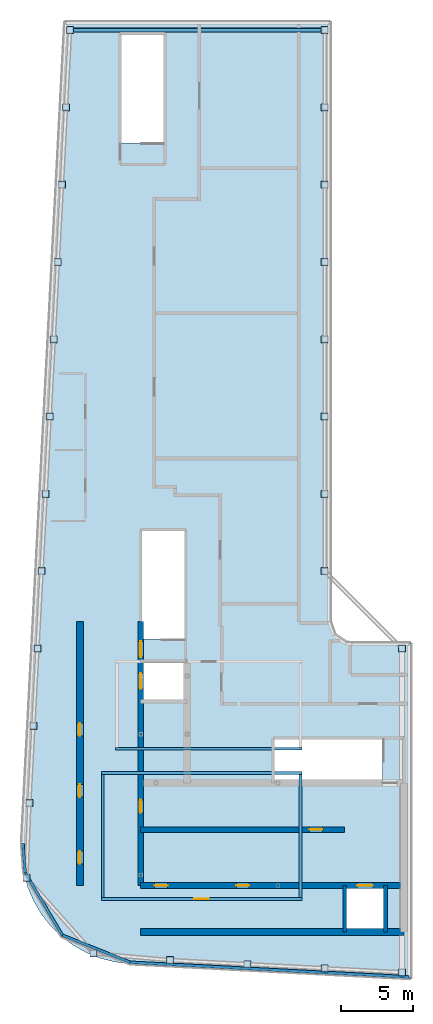
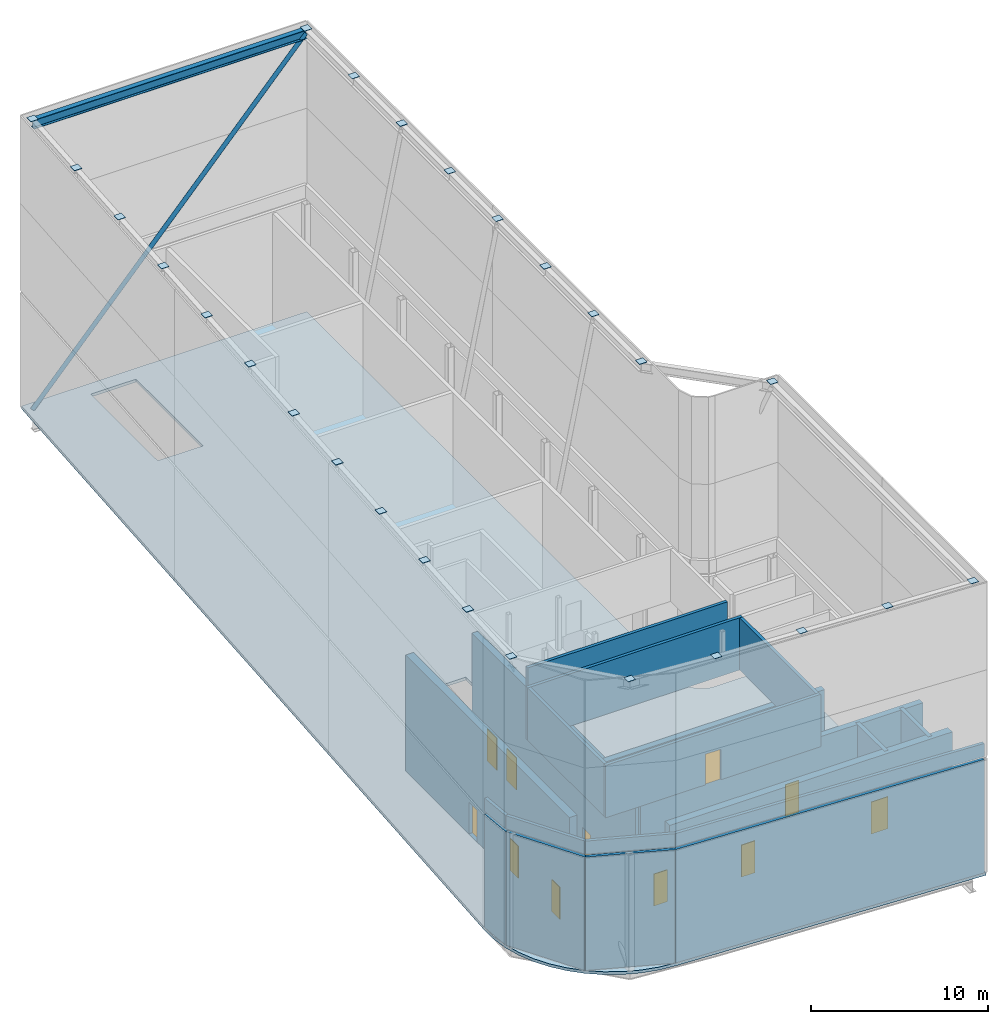
# One storey, part 4 of 7: 26 plates, 20 walls, 11 doors, 1 beam, 1 member, 1 slab, 11 openings.
"""IFC4 building model written with IfcOpenShell, lengths in metres."""

from ifc_helpers import new_model, si_unit, direction, frame, frame_2d, origin, origin_2d, place, context, subcontext, project, spatial, polyline, rectangle, hollow_circle, i_section, outline, extrude, source, transform, mapped, material, layer, layer_set, material_profile, profile_set, type_object, element, fill, save


model = new_model("IFC4")

# Units and contexts
model_context = context("Model", 3, precision=1e-05, world=origin(), true_north=direction((0.0, 1.0)))
body_context = subcontext(model_context, "Body", "Model", "MODEL_VIEW")
ifc_project = project(units=[si_unit("LENGTHUNIT", "METRE"), si_unit("AREAUNIT", "SQUARE_METRE"), si_unit("VOLUMEUNIT", "CUBIC_METRE"), si_unit("PLANEANGLEUNIT", "RADIAN"), si_unit("MASSUNIT", "GRAM", prefix="KILO")], contexts=[model_context])

# Site, building, storey
site_placement = place(None, origin())
site = spatial("IfcSite", under=ifc_project, at=site_placement, CompositionType="ELEMENT")
building_placement = place(site_placement, origin())
building = spatial("IfcBuilding", under=site, at=building_placement, Name="Kheshtan School and Residences Tower", CompositionType="ELEMENT")
storey_placement = place(building_placement, frame((0.0, 0.0, 404.800048828125)))
storey = spatial("IfcBuildingStorey", under=building, at=storey_placement, Name="L94", CompositionType="ELEMENT", Elevation=404.800048828125)

# Beam
ifc_material_1 = material(Name="Steel ASTM A992 Grade 50", Category="steel")
ifc_material_profile_1 = material_profile(ifc_material_1, i_section(OverallWidth=0.3291015625, OverallDepth=0.635009765625, WebThickness=0.017822265625, FlangeThickness=0.031005859375, FilletRadius=0.01904296875, at=origin_2d()), Name="W610x241")
ifc_profile_set_1 = profile_set([ifc_material_profile_1], Name="Steel ASTM A992 Grade 50")
beam_type = type_object("IfcBeamType", Name="Beam CF3 W610x241 ASTM A992 Grade 50", PredefinedType="BEAM", material=ifc_profile_set_1)
beam_placement = place(storey_placement, frame((29.81103515625, 88.800048828125, 19.682373046875), z_axis=(1.0, 0.0, 0.0), x_axis=(0.0, 1.0, 0.0)))
element("IfcBeam", 1, at=beam_placement, inside=storey, type_object=beam_type, Name="Crown frame ring beam 18", PredefinedType="BEAM", context=body_context, shape_type="SweptSolid", body=[
    extrude(i_section(OverallWidth=0.3291015625, OverallDepth=0.635009765625, WebThickness=0.017822265625, FlangeThickness=0.031005859375, FilletRadius=0.01904296875, at=origin_2d()), origin(), (0.0, 0.0, 1.0), 17.7890625),
])

# Member
ifc_material_2 = material(Name="Steel ASTM A500 Grade C", Category="steel")
ifc_material_profile_2 = material_profile(ifc_material_2, hollow_circle(Radius=0.136474609375, WallThickness=0.0126953125, at=origin_2d()), Name="HSS 273x12.7")
ifc_profile_set_2 = profile_set([ifc_material_profile_2], Name="Steel ASTM A500 Grade C")
member_type = type_object("IfcMemberType", Name="Member CF2 HSS 273x12.7 ASTM A500 Grade C", PredefinedType="BRACE", material=ifc_profile_set_2)
member_placement = place(storey_placement, frame((29.81103515625, 88.800048828125, 0.0), z_axis=(0.67052359811, 0.0, 0.741888202075), x_axis=(0.0, 1.0, 0.0)))
element("IfcMember", 2, at=member_placement, inside=storey, type_object=member_type, Name="Crown frame brace 18", PredefinedType="BRACE", context=body_context, shape_type="SweptSolid", body=[
    extrude(hollow_circle(Radius=0.136474609375, WallThickness=0.0126953125, at=origin_2d()), origin(), (0.0, 0.0, 1.0), 26.530029296875),
])

# Plates
ifc_layer_1 = layer(ifc_material_1, 0.02490234375)
ifc_layer_set_1 = layer_set([ifc_layer_1], Name="End plate 25 HSS 406x406x19 ASTM A992 Grade 50")
plate_type = type_object("IfcPlateType", Name="End plate 25 HSS 406x406x19 ASTM A992 Grade 50", PredefinedType="SHEET", material=ifc_layer_set_1)
for number, where, z_axis, x_axis, name in (
    (3, (53.0, 22.97998046875, 20.0), (0.0, 0.0, 1.0), (1.0, 0.0, 0.0), "End plate"),
    (4, (47.60009765625, 23.263916015625, 20.0), (0.0, 0.0, 1.0), (1.0, 0.0, 0.0), "End plate"),
    (5, (42.199951171875, 23.548095703125, 20.0), (0.0, 0.0, 1.0), (1.0, 0.0, 0.0), "End plate"),
    (6, (36.800048828125, 23.83203125, 20.0), (0.0, 0.0, 1.0), (1.0, 0.0, 0.0), "End plate"),
    (7, (31.447021484375, 24.31005859375, 20.0), (0.0, 0.0, 1.0), (1.0, 0.0, 0.0), "End plate"),
    (8, (26.76708984375, 29.58203125, 20.0), (0.0, 0.0, 1.0), (1.0, 0.0, 0.0), "End plate"),
    (9, (26.968994140625, 34.800048828125, 20.0), (0.0, 0.0, 1.0), (1.0, 0.0, 0.0), "End plate"),
    (10, (27.2529296875, 40.199951171875, 20.0), (0.0, 0.0, 1.0), (1.0, 0.0, 0.0), "End plate"),
    (11, (27.537109375, 45.60009765625, 20.0), (0.0, 0.0, 1.0), (1.0, 0.0, 0.0), "End plate"),
    (12, (53.0, 45.60009765625, 20.0), (0.0, 0.0, 1.0), (1.0, 0.0, 0.0), "End plate"),
    (13, (27.822021484375, 51.0, 20.0), (0.0, 0.0, 1.0), (1.0, 0.0, 0.0), "End plate"),
    (14, (47.60009765625, 51.0, 20.0), (0.0, 0.0, 1.0), (1.0, 0.0, 0.0), "End plate"),
    (15, (28.10595703125, 56.39990234375, 20.0), (0.0, 0.0, 1.0), (1.0, 0.0, 0.0), "End plate"),
    (16, (47.60009765625, 56.39990234375, 20.0), (0.0, 0.0, 1.0), (1.0, 0.0, 0.0), "End plate"),
    (17, (28.389892578125, 61.800048828125, 20.0), (0.0, 0.0, 1.0), (1.0, 0.0, 0.0), "End plate"),
    (18, (47.60009765625, 61.800048828125, 20.0), (0.0, 0.0, 1.0), (1.0, 0.0, 0.0), "End plate"),
    (19, (28.674072265625, 67.199951171875, 20.0), (0.0, 0.0, 1.0), (1.0, 0.0, 0.0), "End plate"),
    (20, (47.60009765625, 67.199951171875, 20.0), (0.0, 0.0, 1.0), (1.0, 0.0, 0.0), "End plate"),
    (21, (28.9580078125, 72.60009765625, 20.0), (0.0, 0.0, 1.0), (1.0, 0.0, 0.0), "End plate"),
    (22, (47.60009765625, 72.60009765625, 20.0), (0.0, 0.0, 1.0), (1.0, 0.0, 0.0), "End plate"),
    (23, (29.242919921875, 78.0, 20.0), (0.0, 0.0, 1.0), (1.0, 0.0, 0.0), "End plate"),
    (24, (47.60009765625, 78.0, 20.0), (0.0, 0.0, 1.0), (1.0, 0.0, 0.0), "End plate"),
    (25, (29.527099609375, 83.39990234375, 20.0), (0.0, 0.0, 1.0), (1.0, 0.0, 0.0), "End plate"),
    (26, (47.60009765625, 83.39990234375, 20.0), (0.0, 0.0, 1.0), (1.0, 0.0, 0.0), "End plate"),
    (27, (29.81103515625, 88.800048828125, 20.0), (0.0, 0.0, 1.0), (1.0, 0.0, 0.0), "End plate"),
    (28, (47.60009765625, 88.800048828125, 20.0), (0.0, 0.0, 1.0), (1.0, 0.0, 0.0), "End plate"),
):
    element("IfcPlate", number, at=place(storey_placement, frame(where, z_axis=z_axis, x_axis=x_axis)), inside=storey, type_object=plate_type, Name=name, PredefinedType="SHEET", context=body_context, shape_type="SweptSolid", body=[
        extrude(rectangle(XDim=0.486083984375, YDim=0.486083984375, at=origin_2d()), origin(), (0.0, 0.0, 1.0), 0.02490234375),
    ])

# Slab
ifc_material_3 = material(Name="Concrete C40/50", Category="concrete")
ifc_layer_2 = layer(ifc_material_3, 0.199951171875)
ifc_layer_set_2 = layer_set([ifc_layer_2], Name="Floor slab 200 Concrete C40/50")
slab_type = type_object("IfcSlabType", Name="Floor slab 200 Concrete C40/50", PredefinedType="FLOOR", material=ifc_layer_set_2)
slab_placement = place(storey_placement, frame((0.0, 0.0, -0.199951171875)))
element("IfcSlab", 29, at=slab_placement, inside=storey, type_object=slab_type, Name="Floor slab L94", PredefinedType="FLOOR", context=body_context, shape_type="SweptSolid", body=[
    extrude(outline(polyline([(48.200927734375, 46.75), (48.31005859375, 46.5869140625), (48.43896484375, 46.43896484375), (48.5869140625, 46.31005859375), (48.75, 46.200927734375), (48.926025390625, 46.114013671875), (49.112060546875, 46.051025390625), (49.303955078125, 46.012939453125), (49.5, 46.0), (53.60009765625, 46.0), (53.60009765625, 22.547119140625), (33.989013671875, 23.580078125), (32.949951171875, 23.702880859375), (31.93603515625, 23.9609375), (30.964111328125, 24.34912109375), (30.051025390625, 24.860107421875), (29.2119140625, 25.486083984375), (28.462890625, 26.217041015625), (27.81494140625, 27.0390625), (27.281005859375, 27.93798828125), (26.867919921875, 28.89990234375), (26.583984375, 29.906982421875), (26.43408203125, 30.943115234375), (26.419921875, 31.989013671875), (29.44189453125, 89.39990234375), (48.0, 89.39990234375), (48.0, 47.5), (48.012939453125, 47.303955078125), (48.051025390625, 47.112060546875), (48.114013671875, 46.926025390625), (48.200927734375, 46.75)]), holes=[polyline([(49.125, 28.925048828125), (49.125, 25.925048828125), (51.72509765625, 25.925048828125), (51.72509765625, 28.925048828125), (49.125, 28.925048828125)]), polyline([(44.090087890625, 36.300048828125), (51.639892578125, 36.300048828125), (51.639892578125, 37.699951171875), (51.64990234375, 37.699951171875), (51.64990234375, 39.25), (44.090087890625, 39.25), (44.090087890625, 36.300048828125)]), polyline([(34.875, 44.625), (34.875, 42.02490234375), (37.875, 42.02490234375), (37.875, 44.625), (34.875, 44.625)]), polyline([(37.800048828125, 53.81005859375), (34.85009765625, 53.81005859375), (34.85009765625, 46.260009765625), (36.25, 46.260009765625), (36.25, 46.25), (37.800048828125, 46.25), (37.800048828125, 53.81005859375)]), polyline([(36.35009765625, 88.4599609375), (33.39990234375, 88.4599609375), (33.39990234375, 80.909912109375), (34.800048828125, 80.909912109375), (34.800048828125, 80.89990234375), (36.35009765625, 80.89990234375), (36.35009765625, 88.4599609375)])]), origin(), (0.0, 0.0, 1.0), 0.199951171875),
])

# Wall, openings, doors
ifc_material_4 = material(Name="Concrete C50/60", Category="concrete")
ifc_layer_3 = layer(ifc_material_4, 0.39990234375)
ifc_layer_set_3 = layer_set([ifc_layer_3], Name="Core wall 400 Concrete C50/60")
wall_type_1 = type_object("IfcWallType", Name="Core wall 400 Concrete C50/60", PredefinedType="SHEAR", material=ifc_layer_set_3)
wall_1_placement = place(storey_placement, frame((34.75, 29.050048828125, 0.0), z_axis=(0.0, 0.0, 1.0), x_axis=(1.0, 0.0, 0.0)))
wall_1 = element("IfcWall", 30, at=wall_1_placement, inside=storey, type_object=wall_type_1, Name="Core wall CW-HALL-S1", PredefinedType="SHEAR", context=body_context, shape_type="SweptSolid", body=[
    extrude(rectangle(XDim=18.39990234375, YDim=0.39990234375, at=frame_2d((9.199951171875, 0.0))), origin(), (0.0, 0.0, 1.0), 8.0),
])
opening_1_placement = place(wall_1_placement, frame((15.125, 0.0, 0.0)))
opening_1 = element("IfcOpeningElement", 31, at=opening_1_placement, cuts=wall_1, Name="Opening LD", PredefinedType="OPENING", context=body_context, shape_type="SweptSolid", body=[
    extrude(rectangle(XDim=1.10009765625, YDim=2.199951171875, at=frame_2d((0.550048828125, 1.10009765625))), frame((0.0, 0.2099609375, 0.0), z_axis=(0.0, -1.0, 0.0), x_axis=(1.0, 0.0, 0.0)), (0.0, 0.0, 1.0), 0.419921875),
])
opening_2_placement = place(wall_1_placement, frame((0.97509765625, 0.0, 0.0)))
opening_2 = element("IfcOpeningElement", 32, at=opening_2_placement, cuts=wall_1, Name="Opening SR90", PredefinedType="OPENING", context=body_context, shape_type="SweptSolid", body=[
    extrude(rectangle(XDim=0.89990234375, YDim=2.199951171875, at=frame_2d((0.449951171875, 1.10009765625))), frame((0.0, 0.2099609375, 0.0), z_axis=(0.0, -1.0, 0.0), x_axis=(1.0, 0.0, 0.0)), (0.0, 0.0, 1.0), 0.419921875),
])
opening_3_placement = place(wall_1_placement, frame((6.675048828125, 0.0, 0.0)))
opening_3 = element("IfcOpeningElement", 33, at=opening_3_placement, cuts=wall_1, Name="Opening SR90", PredefinedType="OPENING", context=body_context, shape_type="SweptSolid", body=[
    extrude(rectangle(XDim=0.89990234375, YDim=2.199951171875, at=frame_2d((0.449951171875, 1.10009765625))), frame((0.0, 0.2099609375, 0.0), z_axis=(0.0, -1.0, 0.0), x_axis=(1.0, 0.0, 0.0)), (0.0, 0.0, 1.0), 0.419921875),
])
ifc_material_5 = material(Name="Stainless steel door leaves", Category="steel")
door_type_1 = type_object("IfcDoorType", Name="Lift landing door 1100", OperationType="SLIDING_TO_LEFT", PredefinedType="DOOR", material=ifc_material_5)
shared_shape_1 = source(origin(), body_context, "Body", "SweptSolid", [
    extrude(rectangle(XDim=1.10009765625, YDim=2.199951171875, at=frame_2d((0.550048828125, 1.10009765625))), frame((0.0, 0.02490234375, 0.0), z_axis=(0.0, -1.0, 0.0), x_axis=(1.0, 0.0, 0.0)), (0.0, 0.0, 1.0), 0.050048828125),
])
door_1_placement = place(opening_1_placement, origin())
door_1 = element("IfcDoor", 34, at=door_1_placement, inside=storey, type_object=door_type_1, Name="Lift FFL2 landing door", OperationType="SLIDING_TO_LEFT", OverallHeight=2.199951171875, OverallWidth=1.10009765625, PredefinedType="DOOR", context=body_context, shape_type="MappedRepresentation", body=[
    mapped(shared_shape_1, transform((0.0, 0.0, 0.0), x_axis=(1.0, 0.0, 0.0), y_axis=(0.0, 1.0, 0.0), z_axis=(0.0, 0.0, 1.0), scale=1.0)),
])
fill(opening_1, door_1)
ifc_material_6 = material(Name="Steel door leaf, galvanised", Category="steel")
door_type_2 = type_object("IfcDoorType", Name="Service room door 900 steel 90 min", OperationType="SINGLE_SWING_LEFT", PredefinedType="DOOR", material=ifc_material_6)
shared_shape_2 = source(origin(), body_context, "Body", "SweptSolid", [
    extrude(rectangle(XDim=0.89990234375, YDim=2.199951171875, at=frame_2d((0.449951171875, 1.10009765625))), frame((0.0, 0.02490234375, 0.0), z_axis=(0.0, -1.0, 0.0), x_axis=(1.0, 0.0, 0.0)), (0.0, 0.0, 1.0), 0.050048828125),
])
door_2_placement = place(opening_2_placement, origin())
door_2 = element("IfcDoor", 35, at=door_2_placement, inside=storey, type_object=door_type_2, Name="Service room door", OperationType="SINGLE_SWING_LEFT", OverallHeight=2.199951171875, OverallWidth=0.89990234375, PredefinedType="DOOR", context=body_context, shape_type="MappedRepresentation", body=[
    mapped(shared_shape_2, transform((0.0, 0.0, 0.0), x_axis=(1.0, 0.0, 0.0), y_axis=(0.0, 1.0, 0.0), z_axis=(0.0, 0.0, 1.0), scale=1.0)),
])
fill(opening_2, door_2)
door_3_placement = place(opening_3_placement, origin())
door_3 = element("IfcDoor", 36, at=door_3_placement, inside=storey, type_object=door_type_2, Name="Service room door", OperationType="SINGLE_SWING_RIGHT", OverallHeight=2.199951171875, OverallWidth=0.89990234375, PredefinedType="DOOR", context=body_context, shape_type="MappedRepresentation", body=[
    mapped(shared_shape_2, transform((0.0, 0.0, 0.0), x_axis=(1.0, 0.0, 0.0), y_axis=(0.0, 1.0, 0.0), z_axis=(0.0, 0.0, 1.0), scale=1.0)),
])
fill(opening_3, door_3)

# Wall, opening, door
wall_2_placement = place(storey_placement, frame((34.75, 32.949951171875, 0.0), z_axis=(0.0, 0.0, 1.0), x_axis=(1.0, 0.0, 0.0)))
wall_2 = element("IfcWall", 37, at=wall_2_placement, inside=storey, type_object=wall_type_1, Name="Core wall CW-HALL-S2", PredefinedType="SHEAR", context=body_context, shape_type="SweptSolid", body=[
    extrude(rectangle(XDim=14.25, YDim=0.39990234375, at=frame_2d((7.125, 0.0))), origin(), (0.0, 0.0, 1.0), 8.0),
])
opening_4_placement = place(wall_2_placement, frame((11.7919921875, 0.0, 0.0)))
opening_4 = element("IfcOpeningElement", 38, at=opening_4_placement, cuts=wall_2, Name="Opening SR90", PredefinedType="OPENING", context=body_context, shape_type="SweptSolid", body=[
    extrude(rectangle(XDim=0.89990234375, YDim=2.199951171875, at=frame_2d((0.449951171875, 1.10009765625))), frame((0.0, 0.2099609375, 0.0), z_axis=(0.0, -1.0, 0.0), x_axis=(1.0, 0.0, 0.0)), (0.0, 0.0, 1.0), 0.419921875),
])
door_4_placement = place(opening_4_placement, origin())
door_4 = element("IfcDoor", 39, at=door_4_placement, inside=storey, type_object=door_type_2, Name="Service room door", OperationType="SINGLE_SWING_RIGHT", OverallHeight=2.199951171875, OverallWidth=0.89990234375, PredefinedType="DOOR", context=body_context, shape_type="MappedRepresentation", body=[
    mapped(shared_shape_2, transform((0.0, 0.0, 0.0), x_axis=(1.0, 0.0, 0.0), y_axis=(0.0, 1.0, 0.0), z_axis=(0.0, 0.0, 1.0), scale=1.0)),
])
fill(opening_4, door_4)

# Wall, openings, doors
wall_3_placement = place(storey_placement, frame((34.75, 29.050048828125, 0.0), z_axis=(0.0, 0.0, 1.0), x_axis=(0.0, 1.0, 0.0)))
wall_3 = element("IfcWall", 40, at=wall_3_placement, inside=storey, type_object=wall_type_1, Name="Core wall CW-HALL-W1", PredefinedType="SHEAR", context=body_context, shape_type="SweptSolid", body=[
    extrude(rectangle(XDim=18.449951171875, YDim=0.39990234375, at=frame_2d((9.22509765625, 0.0))), origin(), (0.0, 0.0, 1.0), 8.0),
])
opening_5_placement = place(wall_3_placement, frame((13.72509765625, 0.0, 0.0)))
opening_5 = element("IfcOpeningElement", 41, at=opening_5_placement, cuts=wall_3, Name="Opening LD", PredefinedType="OPENING", context=body_context, shape_type="SweptSolid", body=[
    extrude(rectangle(XDim=1.10009765625, YDim=2.199951171875, at=frame_2d((0.550048828125, 1.10009765625))), frame((0.0, 0.2099609375, 0.0), z_axis=(0.0, -1.0, 0.0), x_axis=(1.0, 0.0, 0.0)), (0.0, 0.0, 1.0), 0.419921875),
])
opening_6_placement = place(wall_3_placement, frame((5.074951171875, 0.0, 0.0)))
opening_6 = element("IfcOpeningElement", 42, at=opening_6_placement, cuts=wall_3, Name="Opening SR90", PredefinedType="OPENING", context=body_context, shape_type="SweptSolid", body=[
    extrude(rectangle(XDim=0.89990234375, YDim=2.199951171875, at=frame_2d((0.449951171875, 1.10009765625))), frame((0.0, 0.2099609375, 0.0), z_axis=(0.0, -1.0, 0.0), x_axis=(1.0, 0.0, 0.0)), (0.0, 0.0, 1.0), 0.419921875),
])
opening_7_placement = place(wall_3_placement, frame((15.949951171875, 0.0, 0.0)))
opening_7 = element("IfcOpeningElement", 43, at=opening_7_placement, cuts=wall_3, Name="Opening ST2D", PredefinedType="OPENING", context=body_context, shape_type="SweptSolid", body=[
    extrude(rectangle(XDim=1.10009765625, YDim=2.199951171875, at=frame_2d((0.550048828125, 1.10009765625))), frame((0.0, 0.2099609375, 0.0), z_axis=(0.0, -1.0, 0.0), x_axis=(1.0, 0.0, 0.0)), (0.0, 0.0, 1.0), 0.419921875),
])
door_5_placement = place(opening_5_placement, origin())
door_5 = element("IfcDoor", 44, at=door_5_placement, inside=storey, type_object=door_type_1, Name="Lift FFL1 landing door", OperationType="SLIDING_TO_LEFT", OverallHeight=2.199951171875, OverallWidth=1.10009765625, PredefinedType="DOOR", context=body_context, shape_type="MappedRepresentation", body=[
    mapped(shared_shape_1, transform((0.0, 0.0, 0.0), x_axis=(1.0, 0.0, 0.0), y_axis=(0.0, 1.0, 0.0), z_axis=(0.0, 0.0, 1.0), scale=1.0)),
])
fill(opening_5, door_5)
door_6_placement = place(opening_6_placement, origin())
door_6 = element("IfcDoor", 45, at=door_6_placement, inside=storey, type_object=door_type_2, Name="Service room door", OperationType="SINGLE_SWING_RIGHT", OverallHeight=2.199951171875, OverallWidth=0.89990234375, PredefinedType="DOOR", context=body_context, shape_type="MappedRepresentation", body=[
    mapped(shared_shape_2, transform((0.0, 0.0, 0.0), x_axis=(1.0, 0.0, 0.0), y_axis=(0.0, 1.0, 0.0), z_axis=(0.0, 0.0, 1.0), scale=1.0)),
])
fill(opening_6, door_6)
door_type_3 = type_object("IfcDoorType", Name="Stair door 1100 steel 90 min", OperationType="SINGLE_SWING_LEFT", PredefinedType="DOOR", material=ifc_material_6)
shared_shape_3 = source(origin(), body_context, "Body", "SweptSolid", [
    extrude(rectangle(XDim=1.10009765625, YDim=2.199951171875, at=frame_2d((0.550048828125, 1.10009765625))), frame((0.0, 0.02490234375, 0.0), z_axis=(0.0, -1.0, 0.0), x_axis=(1.0, 0.0, 0.0)), (0.0, 0.0, 1.0), 0.050048828125),
])
door_7_placement = place(opening_7_placement, origin())
door_7 = element("IfcDoor", 46, at=door_7_placement, inside=storey, type_object=door_type_3, Name="Stair ST2 door", OperationType="SINGLE_SWING_RIGHT", OverallHeight=2.199951171875, OverallWidth=1.10009765625, PredefinedType="DOOR", context=body_context, shape_type="MappedRepresentation", body=[
    mapped(shared_shape_3, transform((0.0, 0.0, 0.0), x_axis=(1.0, 0.0, 0.0), y_axis=(0.0, 1.0, 0.0), z_axis=(0.0, 0.0, 1.0), scale=1.0)),
])
fill(opening_7, door_7)

# Wall
ifc_layer_4 = layer(ifc_material_4, 0.5)
ifc_layer_set_4 = layer_set([ifc_layer_4], Name="Core wall 500 Concrete C50/60")
wall_type_2 = type_object("IfcWallType", Name="Core wall 500 Concrete C50/60", PredefinedType="SHEAR", material=ifc_layer_set_4)
wall_4_placement = place(storey_placement, frame((34.75, 25.800048828125, 0.0), z_axis=(0.0, 0.0, 1.0), x_axis=(1.0, 0.0, 0.0)))
element("IfcWall", 47, at=wall_4_placement, inside=storey, type_object=wall_type_2, Name="Core wall CW-REAR-S", PredefinedType="SHEAR", context=body_context, shape_type="SweptSolid", body=[
    extrude(rectangle(XDim=18.39990234375, YDim=0.5, at=frame_2d((9.199951171875, 0.0))), origin(), (0.0, 0.0, 1.0), 8.0),
])

# Wall, openings, doors
wall_5_placement = place(storey_placement, frame((30.5, 29.050048828125, 0.0), z_axis=(0.0, 0.0, 1.0), x_axis=(0.0, 1.0, 0.0)))
wall_5 = element("IfcWall", 48, at=wall_5_placement, inside=storey, type_object=wall_type_2, Name="Core wall CW-REAR-W", PredefinedType="SHEAR", context=body_context, shape_type="SweptSolid", body=[
    extrude(rectangle(XDim=18.449951171875, YDim=0.5, at=frame_2d((9.22509765625, 0.0))), origin(), (0.0, 0.0, 1.0), 8.0),
])
opening_8_placement = place(wall_5_placement, frame((1.5, 0.0, 0.0)))
opening_8 = element("IfcOpeningElement", 49, at=opening_8_placement, cuts=wall_5, Name="Opening SR90", PredefinedType="OPENING", context=body_context, shape_type="SweptSolid", body=[
    extrude(rectangle(XDim=0.89990234375, YDim=2.199951171875, at=frame_2d((0.449951171875, 1.10009765625))), frame((0.0, 0.260009765625, 0.0), z_axis=(0.0, -1.0, 0.0), x_axis=(1.0, 0.0, 0.0)), (0.0, 0.0, 1.0), 0.52001953125),
])
opening_9_placement = place(wall_5_placement, frame((6.1689453125, 0.0, 0.0)))
opening_9 = element("IfcOpeningElement", 50, at=opening_9_placement, cuts=wall_5, Name="Opening SR90", PredefinedType="OPENING", context=body_context, shape_type="SweptSolid", body=[
    extrude(rectangle(XDim=0.89990234375, YDim=2.199951171875, at=frame_2d((0.449951171875, 1.10009765625))), frame((0.0, 0.260009765625, 0.0), z_axis=(0.0, -1.0, 0.0), x_axis=(1.0, 0.0, 0.0)), (0.0, 0.0, 1.0), 0.52001953125),
])
opening_10_placement = place(wall_5_placement, frame((10.44091796875, 0.0, 0.0)))
opening_10 = element("IfcOpeningElement", 51, at=opening_10_placement, cuts=wall_5, Name="Opening SR90", PredefinedType="OPENING", context=body_context, shape_type="SweptSolid", body=[
    extrude(rectangle(XDim=0.89990234375, YDim=2.199951171875, at=frame_2d((0.449951171875, 1.10009765625))), frame((0.0, 0.260009765625, 0.0), z_axis=(0.0, -1.0, 0.0), x_axis=(1.0, 0.0, 0.0)), (0.0, 0.0, 1.0), 0.52001953125),
])
door_8_placement = place(opening_8_placement, origin())
door_8 = element("IfcDoor", 52, at=door_8_placement, inside=storey, type_object=door_type_2, Name="Service room door", OperationType="SINGLE_SWING_LEFT", OverallHeight=2.199951171875, OverallWidth=0.89990234375, PredefinedType="DOOR", context=body_context, shape_type="MappedRepresentation", body=[
    mapped(shared_shape_2, transform((0.0, 0.0, 0.0), x_axis=(1.0, 0.0, 0.0), y_axis=(0.0, 1.0, 0.0), z_axis=(0.0, 0.0, 1.0), scale=1.0)),
])
fill(opening_8, door_8)
door_9_placement = place(opening_9_placement, origin())
door_9 = element("IfcDoor", 53, at=door_9_placement, inside=storey, type_object=door_type_2, Name="Service room door", OperationType="SINGLE_SWING_RIGHT", OverallHeight=2.199951171875, OverallWidth=0.89990234375, PredefinedType="DOOR", context=body_context, shape_type="MappedRepresentation", body=[
    mapped(shared_shape_2, transform((0.0, 0.0, 0.0), x_axis=(1.0, 0.0, 0.0), y_axis=(0.0, 1.0, 0.0), z_axis=(0.0, 0.0, 1.0), scale=1.0)),
])
fill(opening_9, door_9)
door_10_placement = place(opening_10_placement, origin())
door_10 = element("IfcDoor", 54, at=door_10_placement, inside=storey, type_object=door_type_2, Name="Service room door", OperationType="SINGLE_SWING_RIGHT", OverallHeight=2.199951171875, OverallWidth=0.89990234375, PredefinedType="DOOR", context=body_context, shape_type="MappedRepresentation", body=[
    mapped(shared_shape_2, transform((0.0, 0.0, 0.0), x_axis=(1.0, 0.0, 0.0), y_axis=(0.0, 1.0, 0.0), z_axis=(0.0, 0.0, 1.0), scale=1.0)),
])
fill(opening_10, door_10)

# Walls
ifc_material_7 = material(Name="Concrete C40/50 with ceramic cladding and mineral wool insulation", Category="concrete")
ifc_layer_5 = layer(ifc_material_7, 0.199951171875)
ifc_layer_set_5 = layer_set([ifc_layer_5], Name="Plant enclosure wall 200")
wall_type_3 = type_object("IfcWallType", Name="Plant enclosure wall 200", PredefinedType="SOLIDWALL", material=ifc_layer_set_5)
wall_6_placement = place(storey_placement, frame((53.5, 22.652099609375, 0.0), z_axis=(0.0, 0.0, 1.0), x_axis=(-0.998614821215, 0.052615956231, 0.0)))
element("IfcWall", 55, at=wall_6_placement, inside=storey, type_object=wall_type_3, Name="Plant enclosure wall L94 6", PredefinedType="SOLIDWALL", context=body_context, shape_type="SweptSolid", body=[
    extrude(rectangle(XDim=19.51611328125, YDim=0.199951171875, at=frame_2d((9.758056640625, 0.0))), origin(), (0.0, 0.0, 1.0), 7.800048828125),
])
wall_7_placement = place(storey_placement, frame((34.010986328125, 23.678955078125, 0.0), z_axis=(0.0, 0.0, 1.0), x_axis=(-0.928816849865, 0.370539146929, 0.0)))
element("IfcWall", 56, at=wall_7_placement, inside=storey, type_object=wall_type_3, Name="Plant enclosure wall L94 7", PredefinedType="SOLIDWALL", context=body_context, shape_type="SweptSolid", body=[
    extrude(rectangle(XDim=5.092529296875, YDim=0.199951171875, at=frame_2d((2.54638671875, 0.0))), origin(), (0.0, 0.0, 1.0), 7.800048828125),
])
wall_8_placement = place(storey_placement, frame((29.281005859375, 25.56591796875, 0.0), z_axis=(0.0, 0.0, 1.0), x_axis=(-0.511004466641, 0.859578056417, 0.0)))
element("IfcWall", 57, at=wall_8_placement, inside=storey, type_object=wall_type_3, Name="Plant enclosure wall L94 8", PredefinedType="SOLIDWALL", context=body_context, shape_type="SweptSolid", body=[
    extrude(rectangle(XDim=5.086181640625, YDim=0.199951171875, at=frame_2d((2.54296875, 0.0))), origin(), (0.0, 0.0, 1.0), 7.800048828125),
])
wall_9_placement = place(storey_placement, frame((26.681884765625, 29.93798828125, 0.0), z_axis=(0.0, 0.0, 1.0), x_axis=(-0.078637344527, 0.996903289214, 0.0)))
element("IfcWall", 58, at=wall_9_placement, inside=storey, type_object=wall_type_3, Name="Plant enclosure wall L94 9", PredefinedType="SOLIDWALL", context=body_context, shape_type="SweptSolid", body=[
    extrude(rectangle(XDim=2.058349609375, YDim=0.199951171875, at=frame_2d((1.029296875, 0.0))), origin(), (0.0, 0.0, 1.0), 7.800048828125),
])

# Wall, opening, door
wall_10_placement = place(storey_placement, frame((32.0, 28.10009765625, 8.0), z_axis=(0.0, 0.0, 1.0), x_axis=(1.0, 0.0, 0.0)))
wall_10 = element("IfcWall", 59, at=wall_10_placement, inside=storey, type_object=wall_type_3, Name="Rooftop plant room 1 wall S", PredefinedType="SOLIDWALL", context=body_context, shape_type="SweptSolid", body=[
    extrude(rectangle(XDim=14.0, YDim=0.199951171875, at=frame_2d((7.0, 0.0))), origin(), (0.0, 0.0, 1.0), 3.599853515625),
])
opening_11_placement = place(wall_10_placement, frame((6.5, 0.0, 0.0)))
opening_11 = element("IfcOpeningElement", 60, at=opening_11_placement, cuts=wall_10, Name="Opening PD", PredefinedType="OPENING", context=body_context, shape_type="SweptSolid", body=[
    extrude(rectangle(XDim=1.0, YDim=2.10009765625, at=frame_2d((0.5, 1.050048828125))), frame((0.0, 0.10986328125, 0.0), z_axis=(0.0, -1.0, 0.0), x_axis=(1.0, 0.0, 0.0)), (0.0, 0.0, 1.0), 0.219970703125),
])
ifc_material_8 = material(Name="Galvanised steel door leaf, louvred", Category="steel")
door_type_4 = type_object("IfcDoorType", Name="Plant room door 1000", OperationType="SINGLE_SWING_LEFT", PredefinedType="DOOR", material=ifc_material_8)
shared_shape_4 = source(origin(), body_context, "Body", "SweptSolid", [
    extrude(rectangle(XDim=1.0, YDim=2.10009765625, at=frame_2d((0.5, 1.050048828125))), frame((0.0, 0.02490234375, 0.0), z_axis=(0.0, -1.0, 0.0), x_axis=(1.0, 0.0, 0.0)), (0.0, 0.0, 1.0), 0.050048828125),
])
door_11_placement = place(opening_11_placement, origin())
door_11 = element("IfcDoor", 61, at=door_11_placement, inside=storey, type_object=door_type_4, Name="Rooftop plant room 1 door", OperationType="SINGLE_SWING_LEFT", OverallHeight=2.10009765625, OverallWidth=1.0, PredefinedType="DOOR", context=body_context, shape_type="MappedRepresentation", body=[
    mapped(shared_shape_4, transform((0.0, 0.0, 0.0), x_axis=(1.0, 0.0, 0.0), y_axis=(0.0, 1.0, 0.0), z_axis=(0.0, 0.0, 1.0), scale=1.0)),
])
fill(opening_11, door_11)

# Walls
wall_11_placement = place(storey_placement, frame((32.0, 36.89990234375, 8.0), z_axis=(0.0, 0.0, 1.0), x_axis=(1.0, 0.0, 0.0)))
element("IfcWall", 62, at=wall_11_placement, inside=storey, type_object=wall_type_3, Name="Rooftop plant room 1 wall N", PredefinedType="SOLIDWALL", context=body_context, shape_type="SweptSolid", body=[
    extrude(rectangle(XDim=14.0, YDim=0.199951171875, at=frame_2d((7.0, 0.0))), origin(), (0.0, 0.0, 1.0), 3.599853515625),
])
for number, where, z_axis, x_axis, name in (
    (63, (32.10009765625, 28.199951171875, 8.0), (0.0, 0.0, 1.0), (0.0, 1.0, 0.0), "Rooftop plant room 1 wall W"),
    (64, (45.89990234375, 28.199951171875, 8.0), (0.0, 0.0, 1.0), (0.0, 1.0, 0.0), "Rooftop plant room 1 wall E"),
):
    element("IfcWall", number, at=place(storey_placement, frame(where, z_axis=z_axis, x_axis=x_axis)), inside=storey, type_object=wall_type_3, Name=name, PredefinedType="SOLIDWALL", context=body_context, shape_type="SweptSolid", body=[
        extrude(rectangle(XDim=8.60009765625, YDim=0.199951171875, at=frame_2d((4.300048828125, 0.0))), origin(), (0.0, 0.0, 1.0), 3.599853515625),
    ])
wall_12_placement = place(storey_placement, frame((33.0, 38.60009765625, 8.0), z_axis=(0.0, 0.0, 1.0), x_axis=(1.0, 0.0, 0.0)))
element("IfcWall", 65, at=wall_12_placement, inside=storey, type_object=wall_type_3, Name="Rooftop plant room 2 wall S", PredefinedType="SOLIDWALL", context=body_context, shape_type="SweptSolid", body=[
    extrude(rectangle(XDim=13.0, YDim=0.199951171875, at=frame_2d((6.5, 0.0))), origin(), (0.0, 0.0, 1.0), 3.599853515625),
])
ifc_layer_6 = layer(ifc_material_7, 0.199951171875)
ifc_layer_set_6 = layer_set([ifc_layer_6], Name="Roof parapet 200")
wall_type_4 = type_object("IfcWallType", Name="Roof parapet 200", PredefinedType="PARAPET", material=ifc_layer_set_6)
wall_13_placement = place(storey_placement, frame((53.5, 22.652099609375, 8.0), z_axis=(0.0, 0.0, 1.0), x_axis=(-0.998614821215, 0.052615956231, 0.0)))
element("IfcWall", 66, at=wall_13_placement, inside=storey, type_object=wall_type_4, Name="Roof parapet 6", PredefinedType="PARAPET", context=body_context, shape_type="SweptSolid", body=[
    extrude(rectangle(XDim=19.51611328125, YDim=0.199951171875, at=frame_2d((9.758056640625, 0.0))), origin(), (0.0, 0.0, 1.0), 0.89990234375),
])
wall_14_placement = place(storey_placement, frame((34.010986328125, 23.678955078125, 8.0), z_axis=(0.0, 0.0, 1.0), x_axis=(-0.928816849865, 0.370539146929, 0.0)))
element("IfcWall", 67, at=wall_14_placement, inside=storey, type_object=wall_type_4, Name="Roof parapet 7", PredefinedType="PARAPET", context=body_context, shape_type="SweptSolid", body=[
    extrude(rectangle(XDim=5.092529296875, YDim=0.199951171875, at=frame_2d((2.54638671875, 0.0))), origin(), (0.0, 0.0, 1.0), 0.89990234375),
])
wall_15_placement = place(storey_placement, frame((29.281005859375, 25.56591796875, 8.0), z_axis=(0.0, 0.0, 1.0), x_axis=(-0.511004466641, 0.859578056417, 0.0)))
element("IfcWall", 68, at=wall_15_placement, inside=storey, type_object=wall_type_4, Name="Roof parapet 8", PredefinedType="PARAPET", context=body_context, shape_type="SweptSolid", body=[
    extrude(rectangle(XDim=5.086181640625, YDim=0.199951171875, at=frame_2d((2.54296875, 0.0))), origin(), (0.0, 0.0, 1.0), 0.89990234375),
])
wall_16_placement = place(storey_placement, frame((26.681884765625, 29.93798828125, 8.0), z_axis=(0.0, 0.0, 1.0), x_axis=(-0.078637344527, 0.996903289214, 0.0)))
element("IfcWall", 69, at=wall_16_placement, inside=storey, type_object=wall_type_4, Name="Roof parapet 9", PredefinedType="PARAPET", context=body_context, shape_type="SweptSolid", body=[
    extrude(rectangle(XDim=2.058349609375, YDim=0.199951171875, at=frame_2d((1.029296875, 0.0))), origin(), (0.0, 0.0, 1.0), 0.89990234375),
])
ifc_material_9 = material(Name="Fire-board shaft wall system")
ifc_layer_7 = layer(ifc_material_9, 0.25)
ifc_layer_set_7 = layer_set([ifc_layer_7], Name="Shaft lining wall 250")
wall_type_5 = type_object("IfcWallType", Name="Shaft lining wall 250", PredefinedType="PARTITIONING", material=ifc_layer_set_7)
for number, where, z_axis, x_axis, name in (
    (70, (49.0, 25.800048828125, 0.0), (0.0, 0.0, 1.0), (0.0, 1.0, 0.0), "Shaft lining wall"),
    (71, (51.85009765625, 25.800048828125, 0.0), (0.0, 0.0, 1.0), (0.0, 1.0, 0.0), "Shaft lining wall"),
):
    element("IfcWall", number, at=place(storey_placement, frame(where, z_axis=z_axis, x_axis=x_axis)), inside=storey, type_object=wall_type_5, Name=name, PredefinedType="PARTITIONING", context=body_context, shape_type="SweptSolid", body=[
        extrude(rectangle(XDim=3.25, YDim=0.25, at=frame_2d((1.625, 0.0))), origin(), (0.0, 0.0, 1.0), 8.0),
    ])

save(model, "model.ifc")
